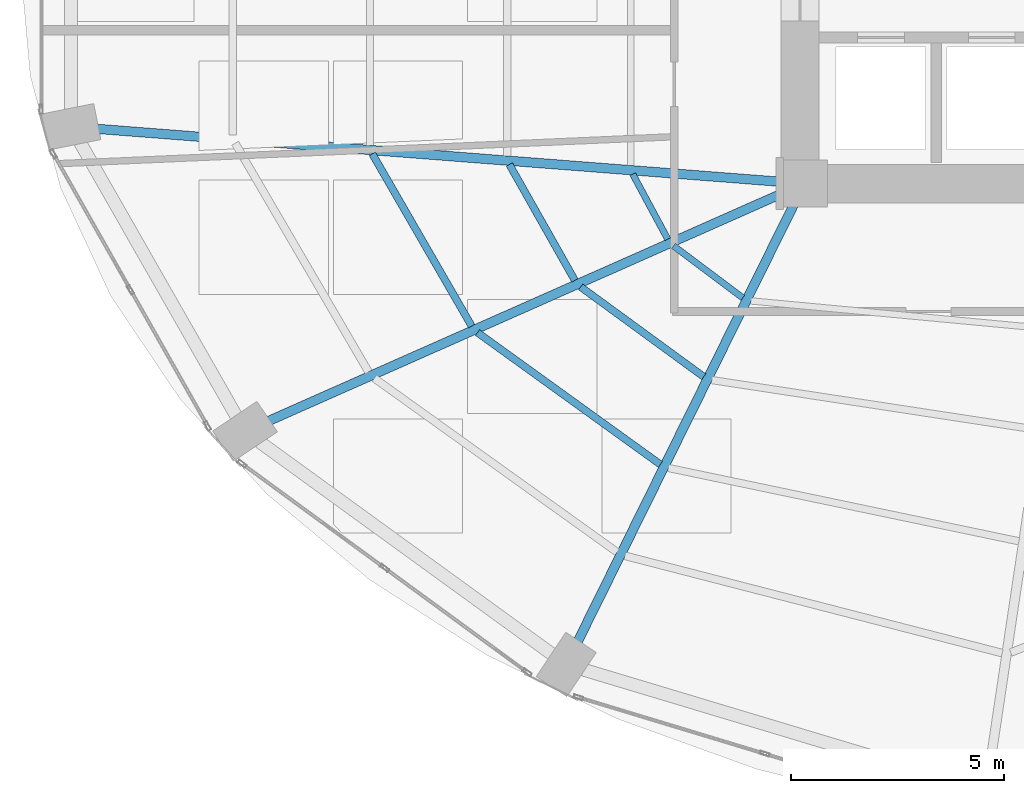
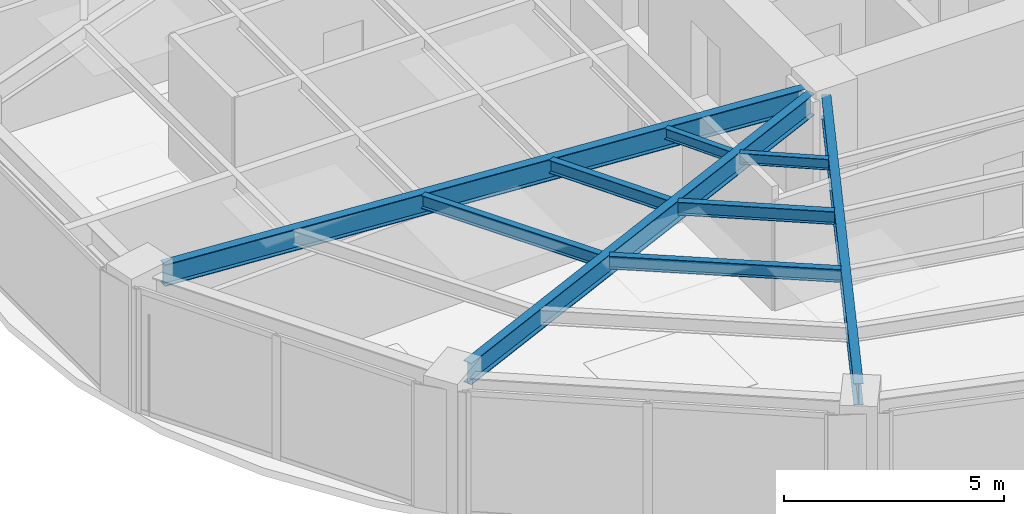
# One storey, part 4 of 24: 9 beams.
"""IFC4 building model written with IfcOpenShell, lengths in metres."""

from ifc_helpers import new_model, si_unit, direction, frame, origin, origin_2d, place, context, subcontext, project, spatial, i_section, extrude, material, material_profile, profile_set, type_object, element, save


model = new_model("IFC4")

# Units and contexts
model_context = context("Model", 3, precision=1e-05, world=origin(), true_north=direction((0.0, 1.0)))
body_context = subcontext(model_context, "Body", "Model", "MODEL_VIEW")
ifc_project = project(units=[si_unit("LENGTHUNIT", "METRE"), si_unit("AREAUNIT", "SQUARE_METRE"), si_unit("VOLUMEUNIT", "CUBIC_METRE"), si_unit("PLANEANGLEUNIT", "RADIAN"), si_unit("MASSUNIT", "GRAM", prefix="KILO")], contexts=[model_context])

# Site, building, storey
site_placement = place(None, origin())
site = spatial("IfcSite", under=ifc_project, at=site_placement, CompositionType="ELEMENT")
building_placement = place(site_placement, origin())
building = spatial("IfcBuilding", under=site, at=building_placement, Name="Lazwardi Medical Tower", CompositionType="ELEMENT")
storey_placement = place(building_placement, frame((0.0, 0.0, 36.14404296875)))
storey = spatial("IfcBuildingStorey", under=building, at=storey_placement, Name="L08", CompositionType="ELEMENT", Elevation=36.14404296875)

# Beams
ifc_material = material(Name="Steel S355", Category="steel")
ifc_material_profile_1 = material_profile(ifc_material, i_section(OverallWidth=0.219970703125, OverallDepth=0.60009765625, WebThickness=0.011962890625, FlangeThickness=0.01904296875, at=origin_2d()), Name="IPE 600")
ifc_profile_set_1 = profile_set([ifc_material_profile_1], Name="Steel S355")
beam_type_1 = type_object("IfcBeamType", Name="BM-RG-W1", PredefinedType="BEAM", material=ifc_profile_set_1)
beam_1_placement = place(storey_placement, frame((9.7783203125, 21.6875, 3.1279296875), z_axis=(0.997013942066, -0.077221754231, 0.0), x_axis=(0.077221754231, 0.997013942066, 0.0)))
element("IfcBeam", 1, at=beam_1_placement, inside=storey, type_object=beam_type_1, Name="Radial girder RG-02 R13 L08", PredefinedType="BEAM", context=body_context, shape_type="SweptSolid", body=[
    extrude(i_section(OverallWidth=0.219970703125, OverallDepth=0.60009765625, WebThickness=0.011962890625, FlangeThickness=0.01904296875, at=origin_2d()), origin(), (0.0, 0.0, 1.0), 16.136474609375),
])
beam_2_placement = place(storey_placement, frame((13.810302734375, 14.82080078125, 3.1279296875), z_axis=(0.914252189566, 0.405145571214, 0.0), x_axis=(-0.405145571214, 0.914252189566, 0.0)))
element("IfcBeam", 2, at=beam_2_placement, inside=storey, type_object=beam_type_1, Name="Radial girder RG-02 R14 L08", PredefinedType="BEAM", context=body_context, shape_type="SweptSolid", body=[
    extrude(i_section(OverallWidth=0.219970703125, OverallDepth=0.60009765625, WebThickness=0.011962890625, FlangeThickness=0.01904296875, at=origin_2d()), origin(), (0.0, 0.0, 1.0), 13.235595703125),
])
beam_3_placement = place(storey_placement, frame((21.076171875, 9.635986328125, 3.1279296875), z_axis=(0.443336723706, 0.896355146922, 0.0), x_axis=(-0.896355146922, 0.443336723706, 0.0)))
element("IfcBeam", 3, at=beam_3_placement, inside=storey, type_object=beam_type_1, Name="Radial girder RG-02 R15 L08", PredefinedType="BEAM", context=body_context, shape_type="SweptSolid", body=[
    extrude(i_section(OverallWidth=0.219970703125, OverallDepth=0.60009765625, WebThickness=0.011962890625, FlangeThickness=0.01904296875, at=origin_2d()), origin(), (0.0, 0.0, 1.0), 11.4736328125),
])
ifc_material_profile_2 = material_profile(ifc_material, i_section(OverallWidth=0.169921875, OverallDepth=0.360107421875, WebThickness=0.008056640625, FlangeThickness=0.0126953125, at=origin_2d()), Name="IPE 360")
ifc_profile_set_2 = profile_set([ifc_material_profile_2], Name="Steel S355")
beam_type_2 = type_object("IfcBeamType", Name="BM-SJ-02", PredefinedType="JOIST", material=ifc_profile_set_2)
beam_4_placement = place(storey_placement, frame((16.26611328125, 21.09814453125, 3.248046875), z_axis=(0.499785866494, -0.866148998529, 0.0), x_axis=(0.866148998529, 0.499785866494, 0.0)))
element("IfcBeam", 4, at=beam_4_placement, inside=storey, type_object=beam_type_2, Name="Secondary joist SJ-02 R2 B13 L08", PredefinedType="JOIST", context=body_context, shape_type="SweptSolid", body=[
    extrude(i_section(OverallWidth=0.169921875, OverallDepth=0.360107421875, WebThickness=0.008056640625, FlangeThickness=0.0126953125, at=origin_2d()), origin(), (0.0, 0.0, 1.0), 4.666015625),
])
beam_5_placement = place(storey_placement, frame((18.73583984375, 16.904296875, 3.248046875), z_axis=(0.811142764961, -0.584848198127, 0.0), x_axis=(0.584848198127, 0.811142764961, 0.0)))
element("IfcBeam", 5, at=beam_5_placement, inside=storey, type_object=beam_type_2, Name="Secondary joist SJ-02 R2 B14 L08", PredefinedType="JOIST", context=body_context, shape_type="SweptSolid", body=[
    extrude(i_section(OverallWidth=0.169921875, OverallDepth=0.360107421875, WebThickness=0.008056640625, FlangeThickness=0.0126953125, at=origin_2d()), origin(), (0.0, 0.0, 1.0), 5.28857421875),
])
beam_6_placement = place(storey_placement, frame((19.48291015625, 20.848388671875, 3.248046875), z_axis=(0.491923287977, -0.870638546554, 0.0), x_axis=(0.870638546554, 0.491923287977, 0.0)))
element("IfcBeam", 6, at=beam_6_placement, inside=storey, type_object=beam_type_2, Name="Secondary joist SJ-02 R3 B13 L08", PredefinedType="JOIST", context=body_context, shape_type="SweptSolid", body=[
    extrude(i_section(OverallWidth=0.169921875, OverallDepth=0.360107421875, WebThickness=0.008056640625, FlangeThickness=0.0126953125, at=origin_2d()), origin(), (0.0, 0.0, 1.0), 3.122802734375),
])
beam_7_placement = place(storey_placement, frame((21.155517578125, 17.976318359375, 3.248046875), z_axis=(0.80770129933, -0.589591902132, 0.0), x_axis=(0.589591902132, 0.80770129933, 0.0)))
element("IfcBeam", 7, at=beam_7_placement, inside=storey, type_object=beam_type_2, Name="Secondary joist SJ-02 R3 B14 L08", PredefinedType="JOIST", context=body_context, shape_type="SweptSolid", body=[
    extrude(i_section(OverallWidth=0.169921875, OverallDepth=0.360107421875, WebThickness=0.008056640625, FlangeThickness=0.0126953125, at=origin_2d()), origin(), (0.0, 0.0, 1.0), 3.5751953125),
])
ifc_material_profile_3 = material_profile(ifc_material, i_section(OverallWidth=0.14990234375, OverallDepth=0.300048828125, WebThickness=0.007080078125, FlangeThickness=0.0107421875, at=origin_2d()), Name="IPE 300")
ifc_profile_set_3 = profile_set([ifc_material_profile_3], Name="Steel S355")
beam_type_3 = type_object("IfcBeamType", Name="BM-SJ-03", PredefinedType="JOIST", material=ifc_profile_set_3)
beam_8_placement = place(storey_placement, frame((22.376953125, 20.623046875, 3.278076171875), z_axis=(0.473982292828, -0.880534375301, 0.0), x_axis=(0.880534375301, 0.473982292828, 0.0)))
element("IfcBeam", 8, at=beam_8_placement, inside=storey, type_object=beam_type_3, Name="Secondary joist SJ-03 R4 B13 L08", PredefinedType="JOIST", context=body_context, shape_type="SweptSolid", body=[
    extrude(i_section(OverallWidth=0.14990234375, OverallDepth=0.300048828125, WebThickness=0.007080078125, FlangeThickness=0.0107421875, at=origin_2d()), origin(), (0.0, 0.0, 1.0), 1.734375),
])
beam_9_placement = place(storey_placement, frame((23.332763671875, 18.9404296875, 3.278076171875), z_axis=(0.800115247939, -0.599846305328, 0.0), x_axis=(0.599846305328, 0.800115247939, 0.0)))
element("IfcBeam", 9, at=beam_9_placement, inside=storey, type_object=beam_type_3, Name="Secondary joist SJ-03 R4 B14 L08", PredefinedType="JOIST", context=body_context, shape_type="SweptSolid", body=[
    extrude(i_section(OverallWidth=0.14990234375, OverallDepth=0.300048828125, WebThickness=0.007080078125, FlangeThickness=0.0107421875, at=origin_2d()), origin(), (0.0, 0.0, 1.0), 2.033447265625),
])

save(model, "model.ifc")
